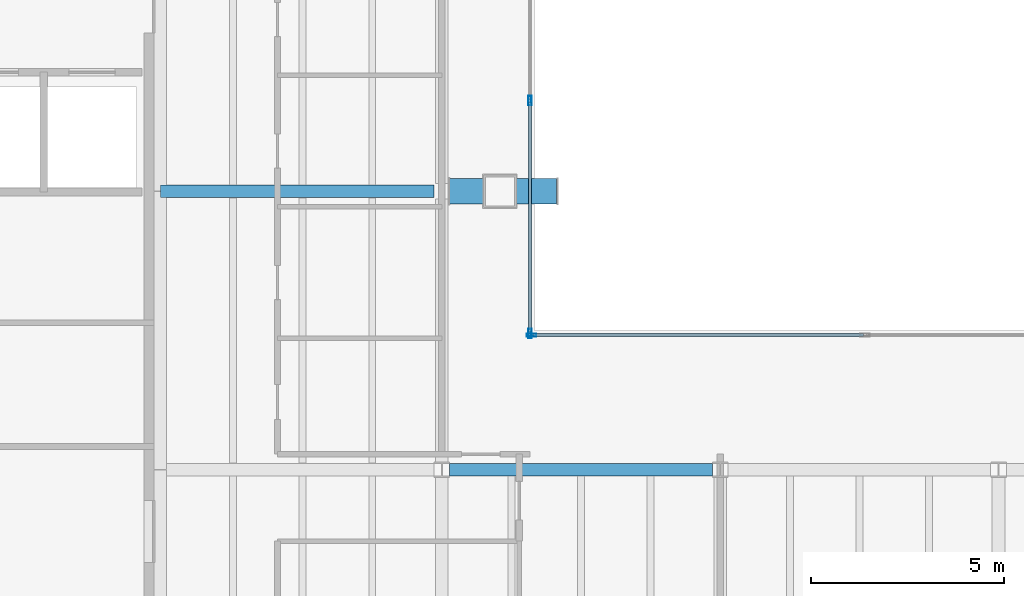
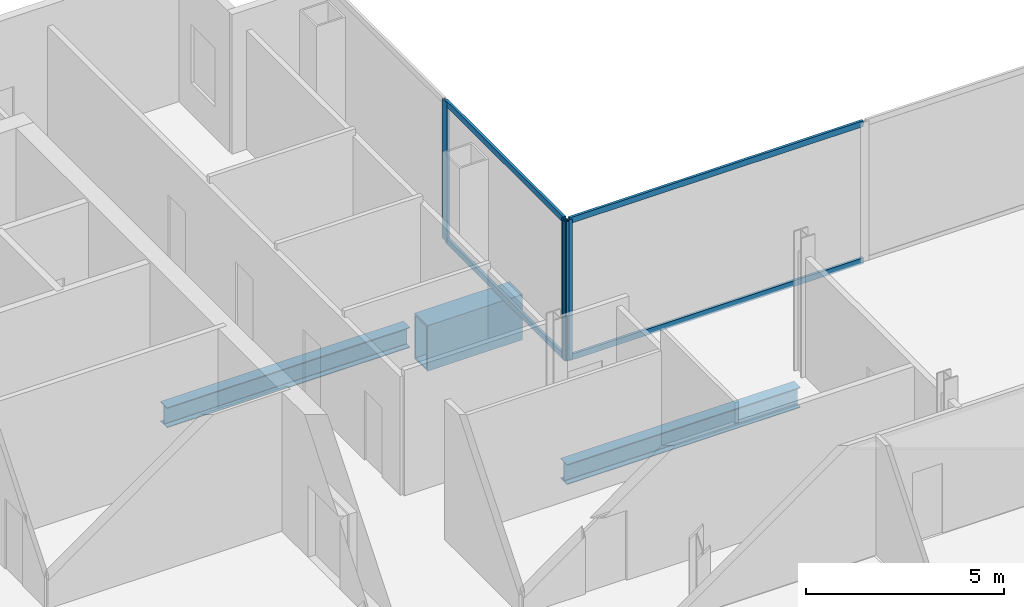
# One storey, part 6 of 20: 7 members, 3 beams, 2 elements without a shape of their own.
"""IFC4 building model written with IfcOpenShell, lengths in metres."""

from ifc_helpers import new_model, si_unit, direction, frame, origin, origin_2d, place, context, subcontext, project, spatial, hollow_rectangle, i_section, extrude, material, material_profile, profile_set, type_object, element, aggregate, save


model = new_model("IFC4")

# Units and contexts
model_context = context("Model", 3, precision=1e-05, world=origin(), true_north=direction((0.0, 1.0)))
body_context = subcontext(model_context, "Body", "Model", "MODEL_VIEW")
ifc_project = project(units=[si_unit("LENGTHUNIT", "METRE"), si_unit("AREAUNIT", "SQUARE_METRE"), si_unit("VOLUMEUNIT", "CUBIC_METRE"), si_unit("PLANEANGLEUNIT", "RADIAN"), si_unit("MASSUNIT", "GRAM", prefix="KILO")], contexts=[model_context])

# Site, building, storey
site_placement = place(None, origin())
site = spatial("IfcSite", under=ifc_project, at=site_placement, CompositionType="ELEMENT")
building_placement = place(site_placement, origin())
building = spatial("IfcBuilding", under=site, at=building_placement, Name="Cobrela Telecom Tower", CompositionType="ELEMENT")
storey_placement = place(building_placement, frame((0.0, 0.0, 168.699951171875)))
storey = spatial("IfcBuildingStorey", under=building, at=storey_placement, Name="L42", CompositionType="ELEMENT", Elevation=168.699951171875)

# Beams
ifc_material_1 = material(Name="Steel ASTM A992 Grade 50", Category="steel")
ifc_material_profile_1 = material_profile(ifc_material_1, i_section(OverallWidth=0.327880859375, OverallDepth=0.6220703125, WebThickness=0.015380859375, FlangeThickness=0.0244140625, FilletRadius=0.014892578125, at=origin_2d()), Name="W24X131")
ifc_profile_set_1 = profile_set([ifc_material_profile_1], Name="Steel ASTM A992 Grade 50")
beam_type_1 = type_object("IfcBeamType", Name="BM-GIRD-06", PredefinedType="USERDEFINED", material=ifc_profile_set_1)
beam_1_placement = place(storey_placement, frame((21.804443359375, 21.60009765625, -0.61083984375), z_axis=(1.0, 0.0, 0.0), x_axis=(0.0, 1.0, 0.0)))
element("IfcBeam", 1, at=beam_1_placement, inside=storey, type_object=beam_type_1, Name="L42 Primary Girder X16", ObjectType="GIRDER", PredefinedType="USERDEFINED", context=body_context, shape_type="SweptSolid", body=[
    extrude(i_section(OverallWidth=0.327880859375, OverallDepth=0.6220703125, WebThickness=0.015380859375, FlangeThickness=0.0244140625, FilletRadius=0.014892578125, at=origin_2d()), origin(), (0.0, 0.0, 1.0), 6.791015625),
])
beam_2_placement = place(storey_placement, frame((14.324951171875, 28.800048828125, -0.61083984375), z_axis=(1.0, 0.0, 0.0), x_axis=(0.0, 1.0, 0.0)))
element("IfcBeam", 2, at=beam_2_placement, inside=storey, type_object=beam_type_1, Name="L42 Primary Girder X19", ObjectType="GIRDER", PredefinedType="USERDEFINED", context=body_context, shape_type="SweptSolid", body=[
    extrude(i_section(OverallWidth=0.327880859375, OverallDepth=0.6220703125, WebThickness=0.015380859375, FlangeThickness=0.0244140625, FilletRadius=0.014892578125, at=origin_2d()), origin(), (0.0, 0.0, 1.0), 7.070556640625),
])
ifc_material_2 = material(Name="Steel ASTM A572 Grade 50", Category="steel")
ifc_material_profile_2 = material_profile(ifc_material_2, hollow_rectangle(XDim=0.64990234375, YDim=1.39990234375, WallThickness=0.054931640625, at=origin_2d()), Name="BOX 1400x650x55")
ifc_profile_set_2 = profile_set([ifc_material_profile_2], Name="Steel ASTM A572 Grade 50")
beam_type_2 = type_object("IfcBeamType", Name="BM-TRG-1400", PredefinedType="USERDEFINED", material=ifc_profile_set_2)
beam_3_placement = place(storey_placement, frame((21.804443359375, 28.800048828125, -1.0), z_axis=(1.0, 0.0, 0.0), x_axis=(0.0, 1.0, 0.0)))
element("IfcBeam", 3, at=beam_3_placement, inside=storey, type_object=beam_type_2, Name="L42 Transfer Girder 03", ObjectType="GIRDER", PredefinedType="USERDEFINED", context=body_context, shape_type="SweptSolid", body=[
    extrude(hollow_rectangle(XDim=0.64990234375, YDim=1.39990234375, WallThickness=0.054931640625, at=origin_2d()), origin(), (0.0, 0.0, 1.0), 2.765625),
])

# Curtain wall, members
ifc_material_3 = material(Name="Anodized Bronze Aluminium 6063-T6", Category="aluminium")
curtain_wall_type = type_object("IfcCurtainWallType", Name="CW-SYS-SKY", PredefinedType="USERDEFINED", material=ifc_material_3)
curtain_wall_1_placement = place(storey_placement, origin())
curtain_wall_1 = element("IfcCurtainWall", 4, at=curtain_wall_1_placement, inside=storey, type_object=curtain_wall_type, Name="L42 Unitised Bronze Curtain Wall 10", ObjectType="UNITISED CURTAIN WALL", PredefinedType="USERDEFINED")
ifc_material_profile_3 = material_profile(ifc_material_3, hollow_rectangle(XDim=0.080078125, YDim=0.239990234375, WallThickness=0.0048828125, at=origin_2d()), Name="ALU 80x240x5")
ifc_profile_set_3 = profile_set([ifc_material_profile_3], Name="Anodized Bronze Aluminium 6063-T6")
member_type_1 = type_object("IfcMemberType", Name="CW-SYS-SKY-MUL", PredefinedType="MULLION", material=ifc_profile_set_3)
member_1_placement = place(storey_placement, frame((23.8798828125, 31.14501953125, 0.0), z_axis=(0.0, 0.0, 1.0), x_axis=(1.0, 0.0, 0.0)))
member_1 = element("IfcMember", 5, at=member_1_placement, type_object=member_type_1, Name="CW-SKY mullion 2", PredefinedType="MULLION", context=body_context, shape_type="SweptSolid", body=[
    extrude(hollow_rectangle(XDim=0.080078125, YDim=0.239990234375, WallThickness=0.0048828125, at=origin_2d()), origin(), (0.0, 0.0, 1.0), 4.2900390625),
])
member_2_placement = place(storey_placement, frame((23.8798828125, 25.1201171875, 0.0), z_axis=(0.0, 0.0, 1.0), x_axis=(1.0, 0.0, 0.0)))
member_2 = element("IfcMember", 6, at=member_2_placement, type_object=member_type_1, Name="CW-SKY mullion 3", PredefinedType="MULLION", context=body_context, shape_type="SweptSolid", body=[
    extrude(hollow_rectangle(XDim=0.080078125, YDim=0.239990234375, WallThickness=0.0048828125, at=origin_2d()), origin(), (0.0, 0.0, 1.0), 4.2900390625),
])

# Curtain wall, member
curtain_wall_2_placement = place(storey_placement, origin())
curtain_wall_2 = element("IfcCurtainWall", 7, at=curtain_wall_2_placement, inside=storey, type_object=curtain_wall_type, Name="L42 Unitised Bronze Curtain Wall 11", ObjectType="UNITISED CURTAIN WALL", PredefinedType="USERDEFINED")
member_3_placement = place(storey_placement, frame((23.919921875, 25.080078125, 0.0), z_axis=(0.0, 0.0, 1.0), x_axis=(0.0, 1.0, 0.0)))
member_3 = element("IfcMember", 8, at=member_3_placement, type_object=member_type_1, Name="CW-SKY mullion 1", PredefinedType="MULLION", context=body_context, shape_type="SweptSolid", body=[
    extrude(hollow_rectangle(XDim=0.080078125, YDim=0.239990234375, WallThickness=0.0048828125, at=origin_2d()), origin(), (0.0, 0.0, 1.0), 4.2900390625),
])

# Member
ifc_material_profile_4 = material_profile(ifc_material_3, hollow_rectangle(XDim=0.074951171875, YDim=0.179931640625, WallThickness=0.00390625, at=origin_2d()), Name="ALU 75x180x4")
ifc_profile_set_4 = profile_set([ifc_material_profile_4], Name="Anodized Bronze Aluminium 6063-T6")
member_type_2 = type_object("IfcMemberType", Name="CW-SYS-SKY-TRN", PredefinedType="USERDEFINED", material=ifc_profile_set_4)
member_4_placement = place(storey_placement, frame((23.8798828125, 31.10498046875, 0.03759765625), z_axis=(0.0, -1.0, 0.0), x_axis=(1.0, 0.0, 0.0)))
member_4 = element("IfcMember", 9, at=member_4_placement, type_object=member_type_2, Name="CW-SKY transom 2.1", ObjectType="TRANSOM", PredefinedType="USERDEFINED", context=body_context, shape_type="SweptSolid", body=[
    extrude(hollow_rectangle(XDim=0.074951171875, YDim=0.179931640625, WallThickness=0.00390625, at=origin_2d()), origin(), (0.0, 0.0, 1.0), 5.945068359375),
])

member_5_placement = place(storey_placement, frame((23.8798828125, 31.10498046875, 4.25244140625), z_axis=(0.0, -1.0, 0.0), x_axis=(1.0, 0.0, 0.0)))
member_5 = element("IfcMember", 10, at=member_5_placement, type_object=member_type_2, Name="CW-SKY transom 2.2", ObjectType="TRANSOM", PredefinedType="USERDEFINED", context=body_context, shape_type="SweptSolid", body=[
    extrude(hollow_rectangle(XDim=0.074951171875, YDim=0.179931640625, WallThickness=0.00390625, at=origin_2d()), origin(), (0.0, 0.0, 1.0), 5.945068359375),
])

aggregate(curtain_wall_1, [member_1, member_2, member_4, member_5])

member_6_placement = place(storey_placement, frame((23.9599609375, 25.080078125, 0.03759765625), z_axis=(1.0, 0.0, 0.0), x_axis=(0.0, 1.0, 0.0)))
member_6 = element("IfcMember", 11, at=member_6_placement, type_object=member_type_2, Name="CW-SKY transom 1.1", ObjectType="TRANSOM", PredefinedType="USERDEFINED", context=body_context, shape_type="SweptSolid", body=[
    extrude(hollow_rectangle(XDim=0.074951171875, YDim=0.179931640625, WallThickness=0.00390625, at=origin_2d()), origin(), (0.0, 0.0, 1.0), 8.544921875),
])

member_7_placement = place(storey_placement, frame((23.9599609375, 25.080078125, 4.25244140625), z_axis=(1.0, 0.0, 0.0), x_axis=(0.0, 1.0, 0.0)))
member_7 = element("IfcMember", 12, at=member_7_placement, type_object=member_type_2, Name="CW-SKY transom 1.2", ObjectType="TRANSOM", PredefinedType="USERDEFINED", context=body_context, shape_type="SweptSolid", body=[
    extrude(hollow_rectangle(XDim=0.074951171875, YDim=0.179931640625, WallThickness=0.00390625, at=origin_2d()), origin(), (0.0, 0.0, 1.0), 8.544921875),
])

aggregate(curtain_wall_2, [member_3, member_6, member_7])

save(model, "model.ifc")
